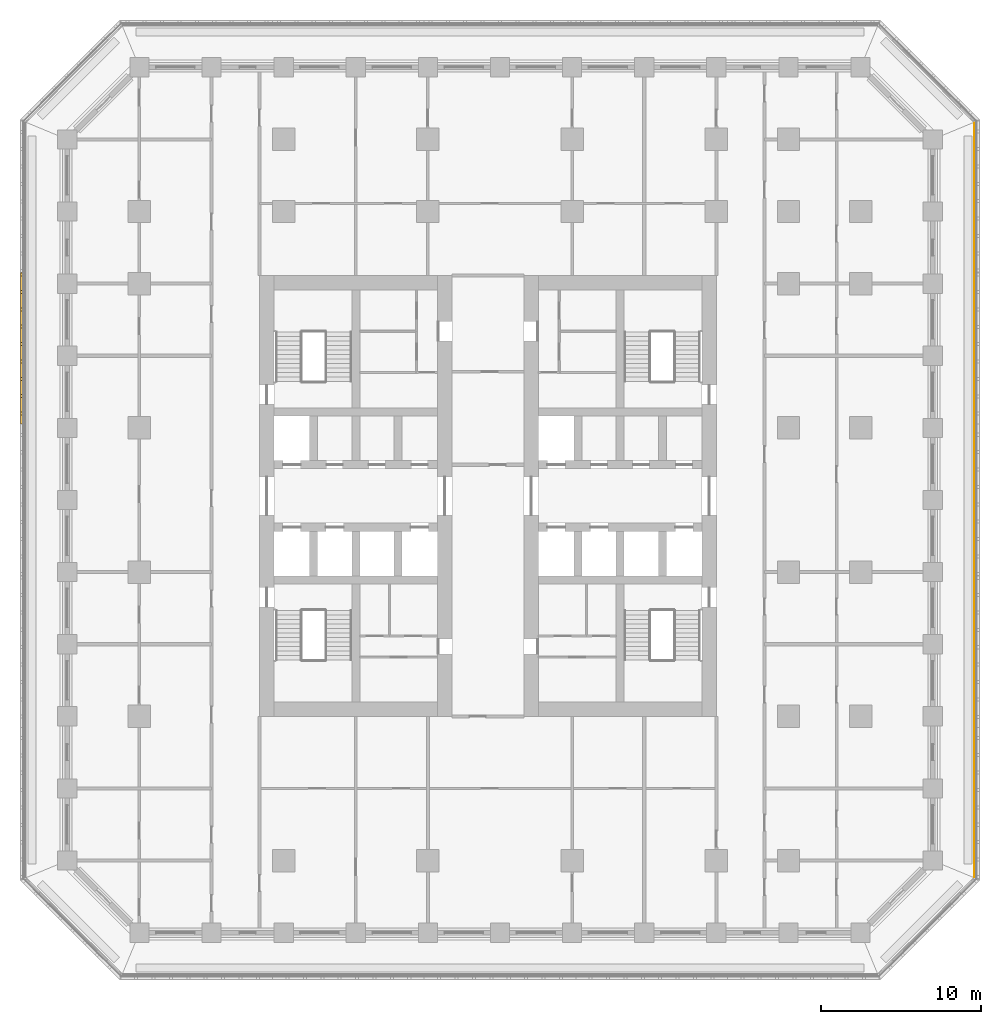
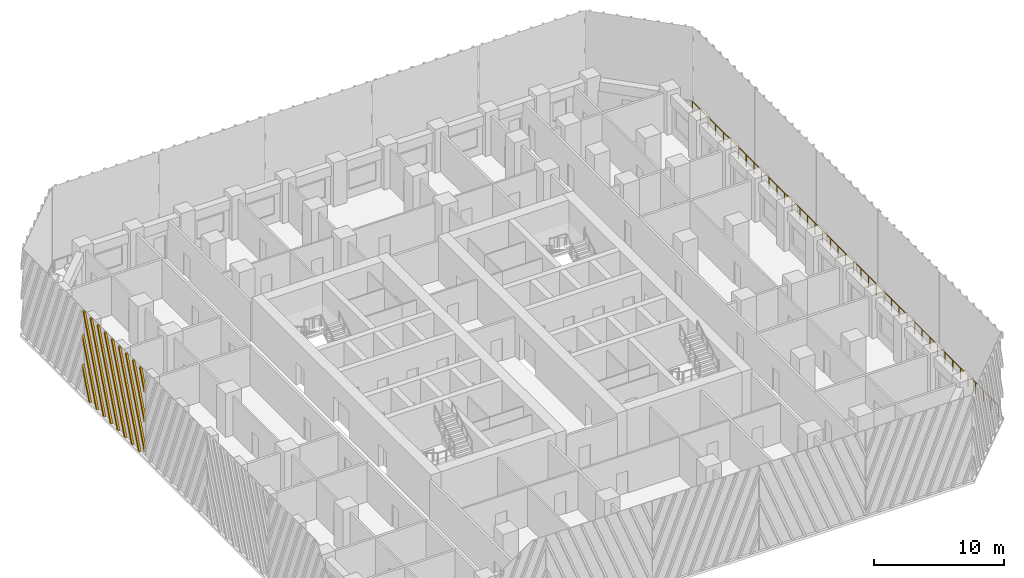
# One storey, part 15 of 20: 1 railing, 1 shading device.
"""IFC4 building model written with IfcOpenShell, lengths in metres."""

from ifc_helpers import new_model, si_unit, direction, frame, origin, origin_2d, place, context, subcontext, project, spatial, polyline, circle, outline, extrude, source, transform, mapped, material, type_object, element, save


model = new_model("IFC4")

# Units and contexts
model_context = context("Model", 3, precision=1e-05, world=origin(), true_north=direction((0.0, 1.0)))
body_context = subcontext(model_context, "Body", "Model", "MODEL_VIEW")
ifc_project = project(units=[si_unit("LENGTHUNIT", "METRE"), si_unit("AREAUNIT", "SQUARE_METRE"), si_unit("VOLUMEUNIT", "CUBIC_METRE"), si_unit("PLANEANGLEUNIT", "RADIAN"), si_unit("MASSUNIT", "GRAM", prefix="KILO")], contexts=[model_context])

# Site, building, storey
site_placement = place(None, origin())
site = spatial("IfcSite", under=ifc_project, at=site_placement, CompositionType="ELEMENT")
building_placement = place(site_placement, origin())
building = spatial("IfcBuilding", under=site, at=building_placement, Name="Corbel Stack Research Tower", CompositionType="ELEMENT")
storey_placement = place(building_placement, frame((0.0, 0.0, 98.39990234375)))
storey = spatial("IfcBuildingStorey", under=building, at=storey_placement, Name="L22", CompositionType="ELEMENT", Elevation=98.39990234375)

# Railing
ifc_material_1 = material(Name="Powder-coated steel guard", Category="steel")
railing_type = type_object("IfcRailingType", Name="Steel and glass guard 1100", PredefinedType="GUARDRAIL", material=ifc_material_1)
railing_placement = place(storey_placement, frame((34.10009765625, -19.00537109375, 0.0)))
element("IfcRailing", 1, at=railing_placement, inside=storey, type_object=railing_type, Name="Loggia guard L22 E", PredefinedType="GUARDRAIL", context=body_context, shape_type="SweptSolid", body=[
    extrude(circle(Radius=0.02392578125, at=origin_2d()), frame((0.0, 0.0, 1.076171875), z_axis=(0.0, 1.0, 0.0), x_axis=(-1.0, 0.0, 0.0)), (0.0, 0.0, 1.0), 47.0107421875),
    extrude(circle(Radius=0.02099609375, at=origin_2d()), origin(), (0.0, 0.0, 1.0), 1.052001953125),
    extrude(circle(Radius=0.02099609375, at=origin_2d()), frame((0.0, 1.17529296875, 0.0)), (0.0, 0.0, 1.0), 1.052001953125),
    extrude(circle(Radius=0.02099609375, at=origin_2d()), frame((0.0, 2.3505859375, 0.0)), (0.0, 0.0, 1.0), 1.052001953125),
    extrude(circle(Radius=0.02099609375, at=origin_2d()), frame((0.0, 3.52587890625, 0.0)), (0.0, 0.0, 1.0), 1.052001953125),
    extrude(circle(Radius=0.02099609375, at=origin_2d()), frame((0.0, 4.701171875, 0.0)), (0.0, 0.0, 1.0), 1.052001953125),
    extrude(circle(Radius=0.02099609375, at=origin_2d()), frame((0.0, 5.87646484375, 0.0)), (0.0, 0.0, 1.0), 1.052001953125),
    extrude(circle(Radius=0.02099609375, at=origin_2d()), frame((0.0, 7.051513671875, 0.0)), (0.0, 0.0, 1.0), 1.052001953125),
    extrude(circle(Radius=0.02099609375, at=origin_2d()), frame((0.0, 8.226806640625, 0.0)), (0.0, 0.0, 1.0), 1.052001953125),
    extrude(circle(Radius=0.02099609375, at=origin_2d()), frame((0.0, 9.402099609375, 0.0)), (0.0, 0.0, 1.0), 1.052001953125),
    extrude(circle(Radius=0.02099609375, at=origin_2d()), frame((0.0, 10.577392578125, 0.0)), (0.0, 0.0, 1.0), 1.052001953125),
    extrude(circle(Radius=0.02099609375, at=origin_2d()), frame((0.0, 11.752685546875, 0.0)), (0.0, 0.0, 1.0), 1.052001953125),
    extrude(circle(Radius=0.02099609375, at=origin_2d()), frame((0.0, 12.927978515625, 0.0)), (0.0, 0.0, 1.0), 1.052001953125),
    extrude(circle(Radius=0.02099609375, at=origin_2d()), frame((0.0, 14.103271484375, 0.0)), (0.0, 0.0, 1.0), 1.052001953125),
    extrude(circle(Radius=0.02099609375, at=origin_2d()), frame((0.0, 15.278564453125, 0.0)), (0.0, 0.0, 1.0), 1.052001953125),
    extrude(circle(Radius=0.02099609375, at=origin_2d()), frame((0.0, 16.453857421875, 0.0)), (0.0, 0.0, 1.0), 1.052001953125),
    extrude(circle(Radius=0.02099609375, at=origin_2d()), frame((0.0, 17.62890625, 0.0)), (0.0, 0.0, 1.0), 1.052001953125),
    extrude(circle(Radius=0.02099609375, at=origin_2d()), frame((0.0, 18.80419921875, 0.0)), (0.0, 0.0, 1.0), 1.052001953125),
    extrude(circle(Radius=0.02099609375, at=origin_2d()), frame((0.0, 19.9794921875, 0.0)), (0.0, 0.0, 1.0), 1.052001953125),
    extrude(circle(Radius=0.02099609375, at=origin_2d()), frame((0.0, 21.15478515625, 0.0)), (0.0, 0.0, 1.0), 1.052001953125),
    extrude(circle(Radius=0.02099609375, at=origin_2d()), frame((0.0, 22.330078125, 0.0)), (0.0, 0.0, 1.0), 1.052001953125),
    extrude(circle(Radius=0.02099609375, at=origin_2d()), frame((0.0, 23.50537109375, 0.0)), (0.0, 0.0, 1.0), 1.052001953125),
    extrude(circle(Radius=0.02099609375, at=origin_2d()), frame((0.0, 24.6806640625, 0.0)), (0.0, 0.0, 1.0), 1.052001953125),
    extrude(circle(Radius=0.02099609375, at=origin_2d()), frame((0.0, 25.85595703125, 0.0)), (0.0, 0.0, 1.0), 1.052001953125),
    extrude(circle(Radius=0.02099609375, at=origin_2d()), frame((0.0, 27.03125, 0.0)), (0.0, 0.0, 1.0), 1.052001953125),
    extrude(circle(Radius=0.02099609375, at=origin_2d()), frame((0.0, 28.20654296875, 0.0)), (0.0, 0.0, 1.0), 1.052001953125),
    extrude(circle(Radius=0.02099609375, at=origin_2d()), frame((0.0, 29.3818359375, 0.0)), (0.0, 0.0, 1.0), 1.052001953125),
    extrude(circle(Radius=0.02099609375, at=origin_2d()), frame((0.0, 30.556884765625, 0.0)), (0.0, 0.0, 1.0), 1.052001953125),
    extrude(circle(Radius=0.02099609375, at=origin_2d()), frame((0.0, 31.732177734375, 0.0)), (0.0, 0.0, 1.0), 1.052001953125),
    extrude(circle(Radius=0.02099609375, at=origin_2d()), frame((0.0, 32.907470703125, 0.0)), (0.0, 0.0, 1.0), 1.052001953125),
    extrude(circle(Radius=0.02099609375, at=origin_2d()), frame((0.0, 34.082763671875, 0.0)), (0.0, 0.0, 1.0), 1.052001953125),
    extrude(circle(Radius=0.02099609375, at=origin_2d()), frame((0.0, 35.258056640625, 0.0)), (0.0, 0.0, 1.0), 1.052001953125),
    extrude(circle(Radius=0.02099609375, at=origin_2d()), frame((0.0, 36.433349609375, 0.0)), (0.0, 0.0, 1.0), 1.052001953125),
    extrude(circle(Radius=0.02099609375, at=origin_2d()), frame((0.0, 37.608642578125, 0.0)), (0.0, 0.0, 1.0), 1.052001953125),
    extrude(circle(Radius=0.02099609375, at=origin_2d()), frame((0.0, 38.783935546875, 0.0)), (0.0, 0.0, 1.0), 1.052001953125),
    extrude(circle(Radius=0.02099609375, at=origin_2d()), frame((0.0, 39.959228515625, 0.0)), (0.0, 0.0, 1.0), 1.052001953125),
    extrude(circle(Radius=0.02099609375, at=origin_2d()), frame((0.0, 41.13427734375, 0.0)), (0.0, 0.0, 1.0), 1.052001953125),
    extrude(circle(Radius=0.02099609375, at=origin_2d()), frame((0.0, 42.3095703125, 0.0)), (0.0, 0.0, 1.0), 1.052001953125),
    extrude(circle(Radius=0.02099609375, at=origin_2d()), frame((0.0, 43.48486328125, 0.0)), (0.0, 0.0, 1.0), 1.052001953125),
    extrude(circle(Radius=0.02099609375, at=origin_2d()), frame((0.0, 44.66015625, 0.0)), (0.0, 0.0, 1.0), 1.052001953125),
    extrude(circle(Radius=0.02099609375, at=origin_2d()), frame((0.0, 45.83544921875, 0.0)), (0.0, 0.0, 1.0), 1.052001953125),
    extrude(circle(Radius=0.02099609375, at=origin_2d()), frame((0.0, 47.0107421875, 0.0)), (0.0, 0.0, 1.0), 1.052001953125),
])

# Shading device
ifc_material_2 = material(Name="Precast terracotta", Category="masonry")
shading_device_type = type_object("IfcShadingDeviceType", Name="Terracotta screen panel", PredefinedType="USERDEFINED", material=ifc_material_2)
shared_shape = source(origin(), body_context, "Body", "SweptSolid", [
    extrude(outline(polyline([(1.14453125, 0.0), (0.0, 2.930419921875), (0.0, 2.44384765625), (0.95458984375, 0.0), (1.14453125, 0.0)])), frame((0.0, 0.0, 0.0), z_axis=(0.0, -1.0, 0.0), x_axis=(1.0, 0.0, 0.0)), (0.0, 0.0, 1.0), 0.179931640625),
    extrude(outline(polyline([(2.22900390625, 0.0), (0.0, 5.707763671875), (0.0, 5.22119140625), (2.0390625, 0.0), (2.22900390625, 0.0)])), frame((0.0, 0.0, 0.0), z_axis=(0.0, -1.0, 0.0), x_axis=(1.0, 0.0, 0.0)), (0.0, 0.0, 1.0), 0.179931640625),
    extrude(outline(polyline([(3.313720703125, 0.0), (0.208984375, 7.949951171875), (0.01904296875, 7.949951171875), (3.123779296875, 0.0), (3.313720703125, 0.0)])), frame((0.0, 0.0, 0.0), z_axis=(0.0, -1.0, 0.0), x_axis=(1.0, 0.0, 0.0)), (0.0, 0.0, 1.0), 0.179931640625),
    extrude(outline(polyline([(4.3984375, 0.0), (1.293701171875, 7.949951171875), (1.103515625, 7.949951171875), (4.20849609375, 0.0), (4.3984375, 0.0)])), frame((0.0, 0.0, 0.0), z_axis=(0.0, -1.0, 0.0), x_axis=(1.0, 0.0, 0.0)), (0.0, 0.0, 1.0), 0.179931640625),
    extrude(outline(polyline([(5.483154296875, 0.0), (2.37841796875, 7.949951171875), (2.188232421875, 7.949951171875), (5.293212890625, 0.0), (5.483154296875, 0.0)])), frame((0.0, 0.0, 0.0), z_axis=(0.0, -1.0, 0.0), x_axis=(1.0, 0.0, 0.0)), (0.0, 0.0, 1.0), 0.179931640625),
    extrude(outline(polyline([(6.56787109375, 0.0), (3.462890625, 7.949951171875), (3.27294921875, 7.949951171875), (6.377685546875, 0.0), (6.56787109375, 0.0)])), frame((0.0, 0.0, 0.0), z_axis=(0.0, -1.0, 0.0), x_axis=(1.0, 0.0, 0.0)), (0.0, 0.0, 1.0), 0.179931640625),
    extrude(outline(polyline([(7.652587890625, 0.0), (4.547607421875, 7.949951171875), (4.357666015625, 7.949951171875), (7.46240234375, 0.0), (7.652587890625, 0.0)])), frame((0.0, 0.0, 0.0), z_axis=(0.0, -1.0, 0.0), x_axis=(1.0, 0.0, 0.0)), (0.0, 0.0, 1.0), 0.179931640625),
    extrude(outline(polyline([(8.737060546875, 0.0), (5.63232421875, 7.949951171875), (5.4423828125, 7.949951171875), (8.547119140625, 0.0), (8.737060546875, 0.0)])), frame((0.0, 0.0, 0.0), z_axis=(0.0, -1.0, 0.0), x_axis=(1.0, 0.0, 0.0)), (0.0, 0.0, 1.0), 0.179931640625),
    extrude(outline(polyline([(6.716796875, 7.949951171875), (6.52685546875, 7.949951171875), (9.45556640625, 0.451171875), (9.45556640625, 0.9375), (6.716796875, 7.949951171875)])), frame((0.0, 0.0, 0.0), z_axis=(0.0, -1.0, 0.0), x_axis=(1.0, 0.0, 0.0)), (0.0, 0.0, 1.0), 0.179931640625),
    extrude(outline(polyline([(7.801513671875, 7.949951171875), (7.611572265625, 7.949951171875), (9.45556640625, 3.228515625), (9.45556640625, 3.71484375), (7.801513671875, 7.949951171875)])), frame((0.0, 0.0, 0.0), z_axis=(0.0, -1.0, 0.0), x_axis=(1.0, 0.0, 0.0)), (0.0, 0.0, 1.0), 0.179931640625),
    extrude(outline(polyline([(8.88623046875, 7.949951171875), (8.6962890625, 7.949951171875), (9.45556640625, 6.005615234375), (9.45556640625, 6.4921875), (8.88623046875, 7.949951171875)])), frame((0.0, 0.0, 0.0), z_axis=(0.0, -1.0, 0.0), x_axis=(1.0, 0.0, 0.0)), (0.0, 0.0, 1.0), 0.179931640625),
])
shading_device_placement = place(storey_placement, frame((-25.25, 18.68359375, 0.0), z_axis=(0.0, 0.0, 1.0), x_axis=(0.0, -1.0, 0.0)))
element("IfcShadingDevice", 2, at=shading_device_placement, inside=storey, type_object=shading_device_type, Name="Terracotta screen L22 W2", ObjectType="SCREEN", PredefinedType="USERDEFINED", context=body_context, shape_type="MappedRepresentation", body=[
    mapped(shared_shape, transform((0.0, 0.0, 0.0))),
])

save(model, "model.ifc")
